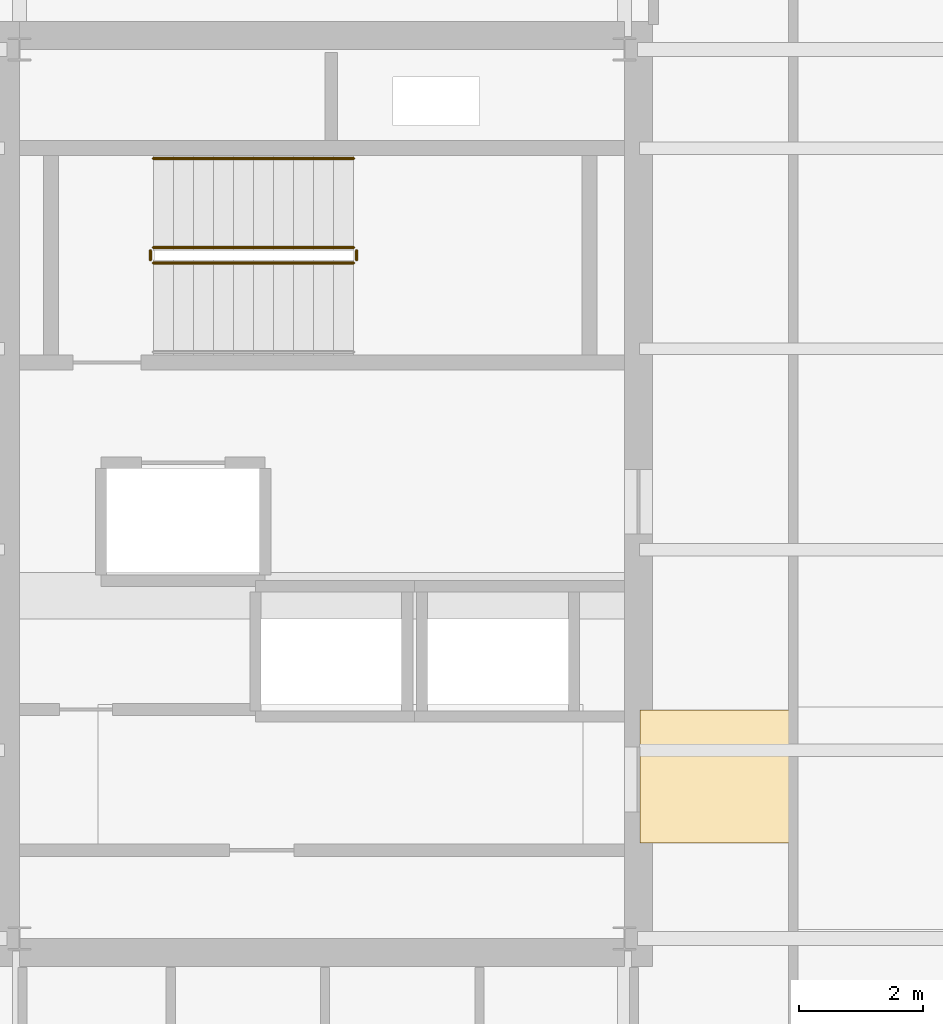
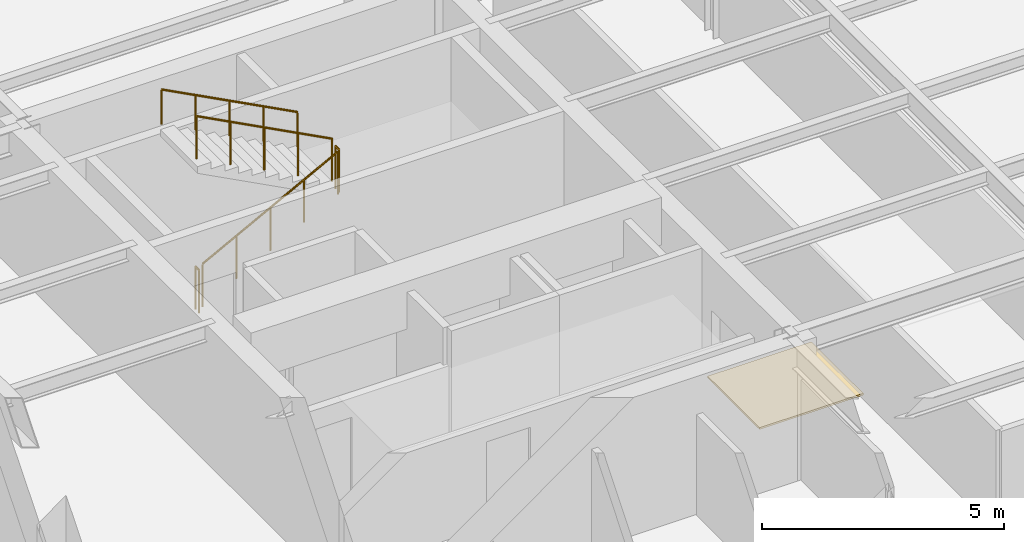
# One storey, part 12 of 15: 5 railings, 1 covering.
"""IFC4 building model written with IfcOpenShell, lengths in metres."""

from ifc_helpers import new_model, si_unit, direction, frame, origin, origin_2d, place, context, subcontext, project, spatial, polyline, circle, outline, extrude, material, layer, layer_set, type_object, element, save


model = new_model("IFC4")

# Units and contexts
model_context = context("Model", 3, precision=1e-05, world=origin(), true_north=direction((0.0, 1.0)))
body_context = subcontext(model_context, "Body", "Model", "MODEL_VIEW")
ifc_project = project(units=[si_unit("LENGTHUNIT", "METRE"), si_unit("AREAUNIT", "SQUARE_METRE"), si_unit("VOLUMEUNIT", "CUBIC_METRE"), si_unit("PLANEANGLEUNIT", "RADIAN"), si_unit("MASSUNIT", "GRAM", prefix="KILO")], contexts=[model_context])

# Site, building, storey
site_placement = place(None, origin())
site = spatial("IfcSite", under=ifc_project, at=site_placement, CompositionType="ELEMENT")
building_placement = place(site_placement, origin())
building = spatial("IfcBuilding", under=site, at=building_placement, Name="Kolvaren Arena Tower", CompositionType="ELEMENT")
storey_placement = place(building_placement, frame((0.0, 0.0, 293.64990234375)))
storey = spatial("IfcBuildingStorey", under=building, at=storey_placement, Name="L72", CompositionType="ELEMENT", Elevation=293.64990234375)

# Covering
ifc_material_1 = material(Name="Raised access office floor finish", Category="aluminium")
ifc_layer = layer(ifc_material_1, 0.044921875)
ifc_layer_set = layer_set([ifc_layer], Name="Raised access office floor finish")
covering_type = type_object("IfcCoveringType", Name="FLOR-RAF-1", PredefinedType="FLOORING", material=ifc_layer_set)
covering_placement = place(storey_placement, origin())
element("IfcCovering", 1, at=covering_placement, inside=storey, type_object=covering_type, Name="Floor Finish (L72)", PredefinedType="FLOORING", context=body_context, shape_type="SweptSolid", body=[
    extrude(outline(polyline([(24.60009765625, 21.0), (24.60009765625, 23.14990234375), (27.080078125, 23.14990234375), (27.080078125, 21.0), (24.60009765625, 21.0)])), origin(), (0.0, 0.0, 1.0), 0.045166015625),
])

# Railings
ifc_material_2 = material(Name="Painted galvanized steel", Category="steel")
railing_type_1 = type_object("IfcRailingType", Name="GUARD-ST-110", PredefinedType="GUARDRAIL", material=ifc_material_2)
railing_1_placement = place(storey_placement, frame((16.719970703125, 30.389892578125, 0.170654296875)))
element("IfcRailing", 2, at=railing_1_placement, inside=storey, type_object=railing_type_1, Name="L72 ST-W1 stair guard 1", PredefinedType="GUARDRAIL", context=body_context, shape_type="SweptSolid", body=[
    extrude(circle(Radius=0.02392578125, at=origin_2d()), frame((0.0, 0.0, 1.076171875), z_axis=(0.885020909582, 0.0, 0.465551274945), x_axis=(0.0, 1.0, 0.0)), (0.0, 0.0, 1.0), 3.660888671875),
    extrude(circle(Radius=0.02099609375, at=origin_2d()), origin(), (0.0, 0.0, 1.0), 1.052001953125),
    extrude(circle(Radius=0.02099609375, at=origin_2d()), frame((0.81005859375, 0.0, 0.426025390625)), (0.0, 0.0, 1.0), 1.052001953125),
    extrude(circle(Radius=0.02099609375, at=origin_2d()), frame((1.6201171875, 0.0, 0.85205078125)), (0.0, 0.0, 1.0), 1.052001953125),
    extrude(circle(Radius=0.02099609375, at=origin_2d()), frame((2.429931640625, 0.0, 1.2783203125)), (0.0, 0.0, 1.0), 1.052001953125),
    extrude(circle(Radius=0.02099609375, at=origin_2d()), frame((3.239990234375, 0.0, 1.704345703125)), (0.0, 0.0, 1.0), 1.052001953125),
])
railing_2_placement = place(storey_placement, frame((20.010009765625, 30.43994140625, 1.875)))
element("IfcRailing", 3, at=railing_2_placement, inside=storey, type_object=railing_type_1, Name="L72 ST-W1 stair guard 2", PredefinedType="GUARDRAIL", context=body_context, shape_type="SweptSolid", body=[
    extrude(circle(Radius=0.02392578125, at=origin_2d()), frame((0.0, 0.0, 1.076171875), z_axis=(0.0, 1.0, 0.0), x_axis=(-1.0, 0.0, 0.0)), (0.0, 0.0, 1.0), 0.150146484375),
    extrude(circle(Radius=0.02099609375, at=origin_2d()), origin(), (0.0, 0.0, 1.0), 1.052001953125),
    extrude(circle(Radius=0.02099609375, at=origin_2d()), frame((0.0, 0.150146484375, 0.0)), (0.0, 0.0, 1.0), 1.052001953125),
])
railing_3_placement = place(storey_placement, frame((19.9599609375, 30.639892578125, 2.045654296875)))
element("IfcRailing", 4, at=railing_3_placement, inside=storey, type_object=railing_type_1, Name="L72 ST-W1 stair guard 3", PredefinedType="GUARDRAIL", context=body_context, shape_type="SweptSolid", body=[
    extrude(circle(Radius=0.02392578125, at=origin_2d()), frame((0.0, 0.0, 1.076171875), z_axis=(-0.885020909582, 0.0, 0.465551274945), x_axis=(0.0, -1.0, 0.0)), (0.0, 0.0, 1.0), 3.660888671875),
    extrude(circle(Radius=0.02099609375, at=origin_2d()), origin(), (0.0, 0.0, 1.0), 1.052001953125),
    extrude(circle(Radius=0.02099609375, at=origin_2d()), frame((-0.81005859375, 0.0, 0.426025390625)), (0.0, 0.0, 1.0), 1.052001953125),
    extrude(circle(Radius=0.02099609375, at=origin_2d()), frame((-1.6201171875, 0.0, 0.85205078125)), (0.0, 0.0, 1.0), 1.052001953125),
    extrude(circle(Radius=0.02099609375, at=origin_2d()), frame((-2.429931640625, 0.0, 1.2783203125)), (0.0, 0.0, 1.0), 1.052001953125),
    extrude(circle(Radius=0.02099609375, at=origin_2d()), frame((-3.239990234375, 0.0, 1.704345703125)), (0.0, 0.0, 1.0), 1.052001953125),
])
railing_4_placement = place(storey_placement, frame((16.669921875, 30.43994140625, 0.0)))
element("IfcRailing", 5, at=railing_4_placement, inside=storey, type_object=railing_type_1, Name="L72 ST-W1 stair guard 4", PredefinedType="GUARDRAIL", context=body_context, shape_type="SweptSolid", body=[
    extrude(circle(Radius=0.02392578125, at=origin_2d()), frame((0.0, 0.0, 1.076171875), z_axis=(0.0, 1.0, 0.0), x_axis=(-1.0, 0.0, 0.0)), (0.0, 0.0, 1.0), 0.150146484375),
    extrude(circle(Radius=0.02099609375, at=origin_2d()), origin(), (0.0, 0.0, 1.0), 1.052001953125),
    extrude(circle(Radius=0.02099609375, at=origin_2d()), frame((0.0, 0.150146484375, 0.0)), (0.0, 0.0, 1.0), 1.052001953125),
])
ifc_material_3 = material(Name="Brushed stainless steel handrail", Category="steel")
railing_type_2 = type_object("IfcRailingType", Name="HRAIL-900", PredefinedType="HANDRAIL", material=ifc_material_3)
railing_5_placement = place(storey_placement, frame((19.9599609375, 32.080078125, 2.045654296875)))
element("IfcRailing", 6, at=railing_5_placement, inside=storey, type_object=railing_type_2, Name="L72 ST-W1 stair handrail 2", PredefinedType="HANDRAIL", context=body_context, shape_type="SweptSolid", body=[
    extrude(circle(Radius=0.02392578125, at=origin_2d()), frame((0.0, 0.0, 0.8759765625), z_axis=(-0.885020909582, 0.0, 0.465551274945), x_axis=(0.0, -1.0, 0.0)), (0.0, 0.0, 1.0), 3.660888671875),
    extrude(circle(Radius=0.02099609375, at=origin_2d()), origin(), (0.0, 0.0, 1.0), 0.851806640625),
    extrude(circle(Radius=0.02099609375, at=origin_2d()), frame((-0.81005859375, 0.0, 0.426025390625)), (0.0, 0.0, 1.0), 0.851806640625),
    extrude(circle(Radius=0.02099609375, at=origin_2d()), frame((-1.6201171875, 0.0, 0.85205078125)), (0.0, 0.0, 1.0), 0.851806640625),
    extrude(circle(Radius=0.02099609375, at=origin_2d()), frame((-2.429931640625, 0.0, 1.2783203125)), (0.0, 0.0, 1.0), 0.851806640625),
    extrude(circle(Radius=0.02099609375, at=origin_2d()), frame((-3.239990234375, 0.0, 1.704345703125)), (0.0, 0.0, 1.0), 0.851806640625),
])

save(model, "model.ifc")
